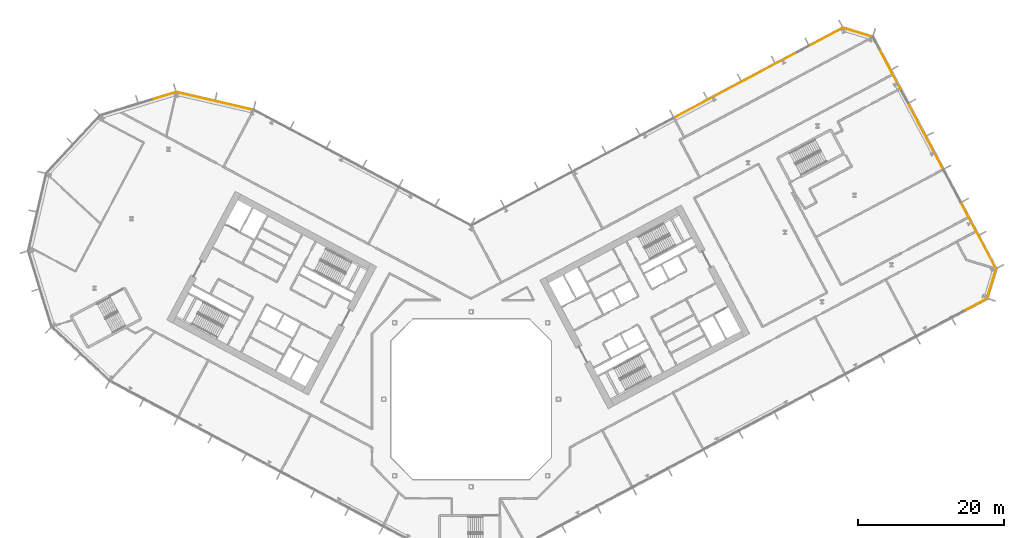
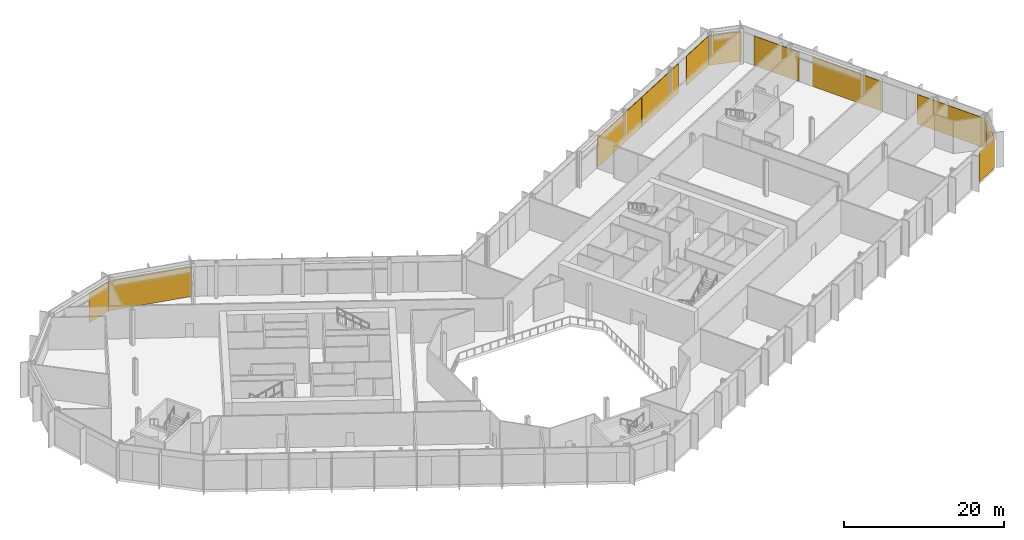
# One storey, part 31 of 32: 11 coverings, 7 elements without a shape of their own.
"""IFC4 building model written with IfcOpenShell, lengths in metres."""

from ifc_helpers import new_model, si_unit, direction, frame, origin, origin_2d, place, context, subcontext, project, spatial, rectangle, extrude, material, layer, layer_set, type_object, element, aggregate, save


model = new_model("IFC4")

# Units and contexts
model_context = context("Model", 3, precision=1e-05, world=origin(), true_north=direction((0.0, 1.0)))
body_context = subcontext(model_context, "Body", "Model", "MODEL_VIEW")
ifc_project = project(units=[si_unit("LENGTHUNIT", "METRE"), si_unit("AREAUNIT", "SQUARE_METRE"), si_unit("VOLUMEUNIT", "CUBIC_METRE"), si_unit("PLANEANGLEUNIT", "RADIAN"), si_unit("MASSUNIT", "GRAM", prefix="KILO")], contexts=[model_context])

# Site, building, storey
site_placement = place(None, origin())
site = spatial("IfcSite", under=ifc_project, at=site_placement, CompositionType="ELEMENT")
building_placement = place(site_placement, origin())
building = spatial("IfcBuilding", under=site, at=building_placement, Name="Cormorant Relay Tower", CompositionType="ELEMENT")
storey_placement = place(building_placement, frame((0.0, 0.0, 39.199951171875)))
storey = spatial("IfcBuildingStorey", under=building, at=storey_placement, Name="L07", CompositionType="ELEMENT", Elevation=39.199951171875)

# Curtain wall, covering
ifc_material_1 = material(Name="Aluminium 6063-T6 anodised bronze", Category="aluminium")
ifc_layer_1 = layer(ifc_material_1, 0.235107421875)
ifc_layer_set_1 = layer_set([ifc_layer_1], Name="CW6 data hall curtain wall with mineral wool panels")
curtain_wall_type = type_object("IfcCurtainWallType", Name="CW6 data hall curtain wall with mineral wool panels", PredefinedType="NOTDEFINED", material=ifc_layer_set_1)
curtain_wall_1_placement = place(storey_placement, origin())
curtain_wall_1 = element("IfcCurtainWall", 1, at=curtain_wall_1_placement, inside=storey, type_object=curtain_wall_type, Name="CW6 curtain wall 2", PredefinedType="NOTDEFINED")
ifc_material_2 = material(Name="Mineral wool cored anodised bronze aluminium cassette panel", Category="aluminium")
ifc_layer_2 = layer(ifc_material_2, 0.074951171875)
ifc_layer_set_2 = layer_set([ifc_layer_2], Name="CW6 mineral wool cassette panel 75")
covering_type = type_object("IfcCoveringType", Name="CW6 mineral wool cassette panel 75", PredefinedType="CLADDING", material=ifc_layer_set_2)
covering_1_placement = place(storey_placement, frame((69.1943359375, 12.96484375, 0.0), z_axis=(0.0, 0.0, 1.0), x_axis=(0.882947592859, 0.469471562786, 0.0)))
covering_1 = element("IfcCovering", 2, at=covering_1_placement, type_object=covering_type, Name="CW6 panel S15", PredefinedType="CLADDING", context=body_context, shape_type="SweptSolid", body=[
    extrude(rectangle(XDim=3.63671875, YDim=0.074951171875, at=origin_2d()), origin(), (0.0, 0.0, 1.0), 4.5),
])
aggregate(curtain_wall_1, [covering_1])

curtain_wall_2_placement = place(storey_placement, origin())
curtain_wall_2 = element("IfcCurtainWall", 3, at=curtain_wall_2_placement, inside=storey, type_object=curtain_wall_type, Name="CW6 curtain wall 3", PredefinedType="NOTDEFINED")
covering_2_placement = place(storey_placement, frame((71.44921875, 15.9052734375, 0.0), z_axis=(0.0, 0.0, 1.0), x_axis=(0.292371704723, 0.956304755963, 0.0)))
covering_2 = element("IfcCovering", 4, at=covering_2_placement, type_object=covering_type, Name="CW6 panel S00", PredefinedType="CLADDING", context=body_context, shape_type="SweptSolid", body=[
    extrude(rectangle(XDim=4.16748046875, YDim=0.074951171875, at=origin_2d()), origin(), (0.0, 0.0, 1.0), 4.5),
])
aggregate(curtain_wall_2, [covering_2])

# Curtain wall, coverings
curtain_wall_3_placement = place(storey_placement, origin())
curtain_wall_3 = element("IfcCurtainWall", 5, at=curtain_wall_3_placement, inside=storey, type_object=curtain_wall_type, Name="CW6 curtain wall 4", PredefinedType="NOTDEFINED")
covering_3_placement = place(storey_placement, frame((69.641357421875, 22.46728515625, 0.0), z_axis=(0.0, 0.0, 1.0), x_axis=(-0.469471562786, 0.882947592859, 0.0)))
covering_3 = element("IfcCovering", 6, at=covering_3_placement, type_object=covering_type, Name="CW6 panel S00", PredefinedType="CLADDING", context=body_context, shape_type="SweptSolid", body=[
    extrude(rectangle(XDim=10.1357421875, YDim=0.074951171875, at=origin_2d()), origin(), (0.0, 0.0, 1.0), 4.5),
])
covering_4_placement = place(storey_placement, frame((62.398193359375, 36.090087890625, 0.0), z_axis=(0.0, 0.0, 1.0), x_axis=(-0.469471562786, 0.882947592859, 0.0)))
covering_4 = element("IfcCovering", 7, at=covering_4_placement, type_object=covering_type, Name="CW6 panel S03", PredefinedType="CLADDING", context=body_context, shape_type="SweptSolid", body=[
    extrude(rectangle(XDim=10.1357421875, YDim=0.074951171875, at=origin_2d()), origin(), (0.0, 0.0, 1.0), 4.5),
])
covering_5_placement = place(storey_placement, frame((57.5517578125, 45.204833984375, 0.0), z_axis=(0.0, 0.0, 1.0), x_axis=(-0.469471562786, 0.882947592859, 0.0)))
covering_5 = element("IfcCovering", 8, at=covering_5_placement, type_object=covering_type, Name="CW6 panel S05", PredefinedType="CLADDING", context=body_context, shape_type="SweptSolid", body=[
    extrude(rectangle(XDim=6.610595703125, YDim=0.074951171875, at=origin_2d()), origin(), (0.0, 0.0, 1.0), 4.5),
])
aggregate(curtain_wall_3, [covering_3, covering_4, covering_5])

# Curtain wall, covering
curtain_wall_4_placement = place(storey_placement, origin())
curtain_wall_4 = element("IfcCurtainWall", 9, at=curtain_wall_4_placement, inside=storey, type_object=curtain_wall_type, Name="CW6 curtain wall 5", PredefinedType="NOTDEFINED")
covering_6_placement = place(storey_placement, frame((53.068115234375, 50.362060546875, 0.0), z_axis=(0.0, 0.0, 1.0), x_axis=(-0.956304755963, 0.292371704723, 0.0)))
covering_6 = element("IfcCovering", 10, at=covering_6_placement, type_object=covering_type, Name="CW6 panel S00", PredefinedType="CLADDING", context=body_context, shape_type="SweptSolid", body=[
    extrude(rectangle(XDim=4.16748046875, YDim=0.074951171875, at=origin_2d()), origin(), (0.0, 0.0, 1.0), 4.5),
])
aggregate(curtain_wall_4, [covering_6])

# Curtain wall, coverings
curtain_wall_5_placement = place(storey_placement, origin())
curtain_wall_5 = element("IfcCurtainWall", 11, at=curtain_wall_5_placement, inside=storey, type_object=curtain_wall_type, Name="CW6 curtain wall 6", PredefinedType="NOTDEFINED")
covering_7_placement = place(storey_placement, frame((48.725830078125, 49.734375, 0.0), z_axis=(0.0, 0.0, 1.0), x_axis=(-0.882947592859, -0.469471562786, 0.0)))
covering_7 = element("IfcCovering", 12, at=covering_7_placement, type_object=covering_type, Name="CW6 panel S00", PredefinedType="CLADDING", context=body_context, shape_type="SweptSolid", body=[
    extrude(rectangle(XDim=5.107666015625, YDim=0.074951171875, at=origin_2d()), origin(), (0.0, 0.0, 1.0), 4.5),
])
covering_8_placement = place(storey_placement, frame((40.9677734375, 45.609375, 0.0), z_axis=(0.0, 0.0, 1.0), x_axis=(-0.882947592859, -0.469471562786, 0.0)))
covering_8 = element("IfcCovering", 13, at=covering_8_placement, type_object=covering_type, Name="CW6 panel S02", PredefinedType="CLADDING", context=body_context, shape_type="SweptSolid", body=[
    extrude(rectangle(XDim=8.565185546875, YDim=0.074951171875, at=origin_2d()), origin(), (0.0, 0.0, 1.0), 4.5),
])
covering_9_placement = place(storey_placement, frame((32.47802734375, 41.09521484375, 0.0), z_axis=(0.0, 0.0, 1.0), x_axis=(-0.882947592859, -0.469471562786, 0.0)))
covering_9 = element("IfcCovering", 14, at=covering_9_placement, type_object=covering_type, Name="CW6 panel S03", PredefinedType="CLADDING", context=body_context, shape_type="SweptSolid", body=[
    extrude(rectangle(XDim=10.365234375, YDim=0.074951171875, at=origin_2d()), origin(), (0.0, 0.0, 1.0), 4.5),
])
aggregate(curtain_wall_5, [covering_7, covering_8, covering_9])

# Curtain wall, covering
curtain_wall_6_placement = place(storey_placement, origin())
curtain_wall_6 = element("IfcCurtainWall", 15, at=curtain_wall_6_placement, inside=storey, type_object=curtain_wall_type, Name="CW6 curtain wall 8", PredefinedType="NOTDEFINED")
covering_10_placement = place(storey_placement, frame((-35.19775390625, 40.935791015625, 0.0), z_axis=(0.0, 0.0, 1.0), x_axis=(-0.974370064785, 0.224951054344, 0.0)))
covering_10 = element("IfcCovering", 16, at=covering_10_placement, type_object=covering_type, Name="CW6 panel S00", PredefinedType="CLADDING", context=body_context, shape_type="SweptSolid", body=[
    extrude(rectangle(XDim=10.79541015625, YDim=0.074951171875, at=origin_2d()), origin(), (0.0, 0.0, 1.0), 4.5),
])
aggregate(curtain_wall_6, [covering_10])

curtain_wall_7_placement = place(storey_placement, origin())
curtain_wall_7 = element("IfcCurtainWall", 17, at=curtain_wall_7_placement, inside=storey, type_object=curtain_wall_type, Name="CW6 curtain wall 9", PredefinedType="NOTDEFINED")
covering_11_placement = place(storey_placement, frame((-42.214599609375, 41.617919921875, 0.0), z_axis=(0.0, 0.0, 1.0), x_axis=(-0.956304755963, -0.292371704723, 0.0)))
covering_11 = element("IfcCovering", 18, at=covering_11_placement, type_object=covering_type, Name="CW6 panel S00", PredefinedType="CLADDING", context=body_context, shape_type="SweptSolid", body=[
    extrude(rectangle(XDim=3.485107421875, YDim=0.074951171875, at=origin_2d()), origin(), (0.0, 0.0, 1.0), 4.5),
])
aggregate(curtain_wall_7, [covering_11])

save(model, "model.ifc")
